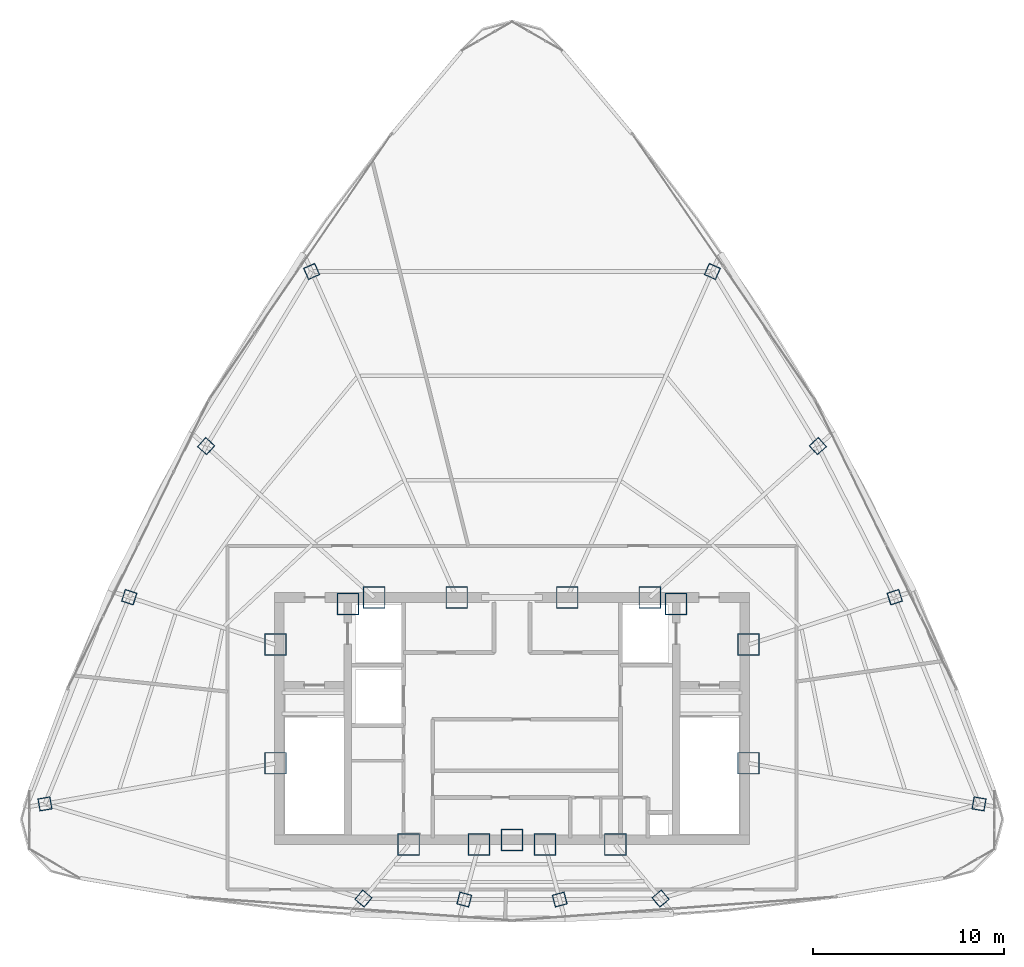
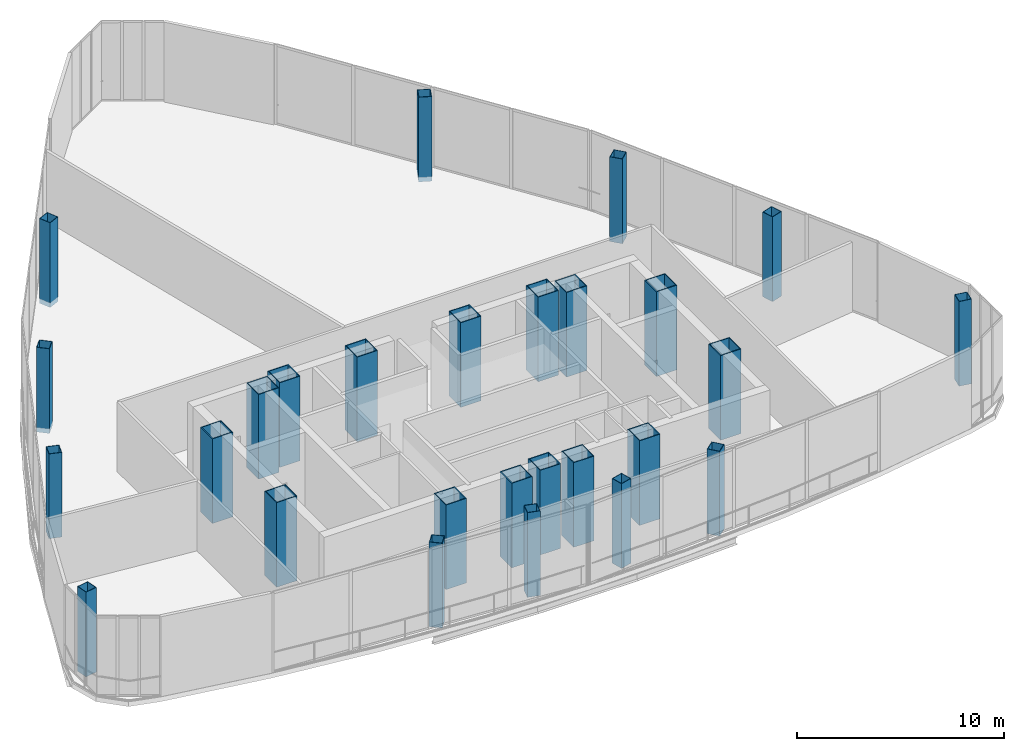
# One storey, part 1 of 32: 27 columns.
"""IFC4 building model written with IfcOpenShell, lengths in metres."""

from ifc_helpers import new_model, si_unit, direction, frame, origin, origin_2d, place, context, subcontext, project, spatial, hollow_rectangle, extrude, source, transform, mapped, material, material_profile, profile_set, type_object, element, save


model = new_model("IFC4")

# Units and contexts
model_context = context("Model", 3, precision=1e-05, world=origin(), true_north=direction((0.0, 1.0)))
body_context = subcontext(model_context, "Body", "Model", "MODEL_VIEW")
ifc_project = project(units=[si_unit("LENGTHUNIT", "METRE"), si_unit("AREAUNIT", "SQUARE_METRE"), si_unit("VOLUMEUNIT", "CUBIC_METRE"), si_unit("PLANEANGLEUNIT", "RADIAN"), si_unit("MASSUNIT", "GRAM", prefix="KILO"), si_unit("THERMODYNAMICTEMPERATUREUNIT", "KELVIN"), si_unit("POWERUNIT", "WATT")], contexts=[model_context])

# Site, building, storey
site_placement = place(None, origin())
site = spatial("IfcSite", under=ifc_project, at=site_placement, CompositionType="ELEMENT")
building_placement = place(site_placement, origin())
building = spatial("IfcBuilding", under=site, at=building_placement, Name="Yunzhuo Pagoda Commons", CompositionType="ELEMENT")
storey_placement = place(building_placement, frame((0.0, 0.0, 396.760009765625)))
storey = spatial("IfcBuildingStorey", under=building, at=storey_placement, Name="L98", CompositionType="ELEMENT", Elevation=396.760009765625)

# Columns
ifc_material_1 = material(Name="Structural steel Q420B", Category="steel")
ifc_material_profile_1 = material_profile(ifc_material_1, hollow_rectangle(XDim=1.14990234375, YDim=1.14990234375, WallThickness=0.048095703125, at=origin_2d()), Name="Structural steel Q420B")
ifc_profile_set_1 = profile_set([ifc_material_profile_1], Name="Structural steel Q420B")
column_type_1 = type_object("IfcColumnType", Name="C-COR Column BOX 1150x1150x48", PredefinedType="COLUMN", material=ifc_profile_set_1)
shared_shape_1 = source(origin(), body_context, "Body", "SweptSolid", [
    extrude(hollow_rectangle(XDim=1.14990234375, YDim=1.14990234375, WallThickness=0.048095703125, at=origin_2d()), origin(), (0.0, 0.0, 1.0), 5.0),
])
for number, where, z_axis, x_axis, name in (
    (1, (42.587890625, 27.25, -0.27978515625), (0.0, 0.0, 1.0), (1.0, 0.0, 0.0), "L98 core composite column F1C1"),
    (2, (46.27197265625, 27.25, -0.27978515625), (0.0, 0.0, 1.0), (1.0, 0.0, 0.0), "L98 core composite column F1C2"),
    (3, (49.728515625, 27.25, -0.27978515625), (0.0, 0.0, 1.0), (1.0, 0.0, 0.0), "L98 core composite column F1C3"),
    (4, (53.412109375, 27.25, -0.27978515625), (0.0, 0.0, 1.0), (1.0, 0.0, 0.0), "L98 core composite column F1C4"),
    (5, (60.39990234375, 31.513427734375, -0.27978515625), (0.0, 0.0, 1.0), (1.0, 0.0, 0.0), "L98 core composite column F2C1"),
    (6, (60.39990234375, 37.72900390625, -0.27978515625), (0.0, 0.0, 1.0), (1.0, 0.0, 0.0), "L98 core composite column F2C2"),
    (7, (55.218994140625, 40.199951171875, -0.27978515625), (0.0, 0.0, 1.0), (1.0, 0.0, 0.0), "L98 core composite column F2C3"),
    (8, (50.89404296875, 40.199951171875, -0.27978515625), (0.0, 0.0, 1.0), (1.0, 0.0, 0.0), "L98 core composite column F2C4"),
    (9, (45.10595703125, 40.199951171875, -0.27978515625), (0.0, 0.0, 1.0), (1.0, 0.0, 0.0), "L98 core composite column F3C1"),
    (10, (40.781005859375, 40.199951171875, -0.27978515625), (0.0, 0.0, 1.0), (1.0, 0.0, 0.0), "L98 core composite column F3C2"),
    (11, (35.60009765625, 37.72900390625, -0.27978515625), (0.0, 0.0, 1.0), (1.0, 0.0, 0.0), "L98 core composite column F3C3"),
    (12, (35.60009765625, 31.513427734375, -0.27978515625), (0.0, 0.0, 1.0), (1.0, 0.0, 0.0), "L98 core composite column F3C4"),
    (13, (39.39990234375, 39.85009765625, -0.27978515625), (0.0, 0.0, 1.0), (1.0, 0.0, 0.0), "L98 mast anchor column 1"),
    (14, (56.60009765625, 39.85009765625, -0.27978515625), (0.0, 0.0, 1.0), (1.0, 0.0, 0.0), "L98 mast anchor column 2"),
    (15, (48.0, 27.5, -0.27978515625), (0.0, 0.0, 1.0), (1.0, 0.0, 0.0), "L98 mast anchor column 3"),
):
    element("IfcColumn", number, at=place(storey_placement, frame(where, z_axis=z_axis, x_axis=x_axis)), inside=storey, type_object=column_type_1, Name=name, PredefinedType="COLUMN", context=body_context, shape_type="MappedRepresentation", body=[
        mapped(shared_shape_1, transform((0.0, 0.0, 0.0), scale=1.0)),
    ])
ifc_material_2 = material(Name="Structural steel Q355B", Category="steel")
ifc_material_profile_2 = material_profile(ifc_material_2, hollow_rectangle(XDim=0.64990234375, YDim=0.64990234375, WallThickness=0.02392578125, at=origin_2d()), Name="Structural steel Q355B")
ifc_profile_set_2 = profile_set([ifc_material_profile_2], Name="Structural steel Q355B")
column_type_2 = type_object("IfcColumnType", Name="C-CRN Column BOX 650x650x24", PredefinedType="COLUMN", material=ifc_profile_set_2)
shared_shape_2 = source(origin(), body_context, "Body", "SweptSolid", [
    extrude(hollow_rectangle(XDim=0.64990234375, YDim=0.64990234375, WallThickness=0.02392578125, at=origin_2d()), origin(), (0.0, 0.0, 1.0), 5.0),
])
for number, where, z_axis, x_axis, name in (
    (16, (40.214599609375, 24.421630859375, -0.27978515625), (0.0, 0.0, 1.0), (0.766044443119, -0.642787609687, 0.0), "L98 tower column F1C1"),
    (17, (45.500732421875, 24.372802734375, -0.27978515625), (0.0, 0.0, 1.0), (0.965925826289, -0.258819045103, 0.0), "L98 tower column F1C2"),
    (18, (50.499267578125, 24.372802734375, -0.27978515625), (0.0, 0.0, 1.0), (0.965925826289, 0.258819045103, 0.0), "L98 tower column F1C3"),
    (19, (55.785400390625, 24.421630859375, -0.27978515625), (0.0, 0.0, 1.0), (0.766044443119, 0.642787609687, 0.0), "L98 tower column F1C4"),
    (20, (72.47021484375, 29.38525390625, -0.27978515625), (0.0, 0.0, 1.0), (0.173648177667, 0.984807753012, 0.0), "L98 tower column F2C1"),
    (21, (68.053466796875, 40.2158203125, -0.27978515625), (0.0, 0.0, 1.0), (-0.309016994375, 0.951056516295, 0.0), "L98 tower column F2C2"),
    (22, (64.024658203125, 48.128662109375, -0.27978515625), (0.0, 0.0, 1.0), (-0.669130606359, 0.743144825477, 0.0), "L98 tower column F2C3"),
    (23, (58.498779296875, 57.281005859375, -0.27978515625), (0.0, 0.0, 1.0), (-0.913545457643, 0.406736643076, 0.0), "L98 tower column F2C4"),
    (24, (37.501220703125, 57.281005859375, -0.27978515625), (0.0, 0.0, 1.0), (-0.913545457643, -0.406736643076, 0.0), "L98 tower column F3C1"),
    (25, (31.975341796875, 48.128662109375, -0.27978515625), (0.0, 0.0, 1.0), (-0.669130606359, -0.743144825477, 0.0), "L98 tower column F3C2"),
    (26, (27.946533203125, 40.2158203125, -0.27978515625), (0.0, 0.0, 1.0), (-0.309016994375, -0.951056516295, 0.0), "L98 tower column F3C3"),
    (27, (23.52978515625, 29.38525390625, -0.27978515625), (0.0, 0.0, 1.0), (0.173648177667, -0.984807753012, 0.0), "L98 tower column F3C4"),
):
    element("IfcColumn", number, at=place(storey_placement, frame(where, z_axis=z_axis, x_axis=x_axis)), inside=storey, type_object=column_type_2, Name=name, PredefinedType="COLUMN", context=body_context, shape_type="MappedRepresentation", body=[
        mapped(shared_shape_2, transform((0.0, 0.0, 0.0), scale=1.0)),
    ])

save(model, "model.ifc")
